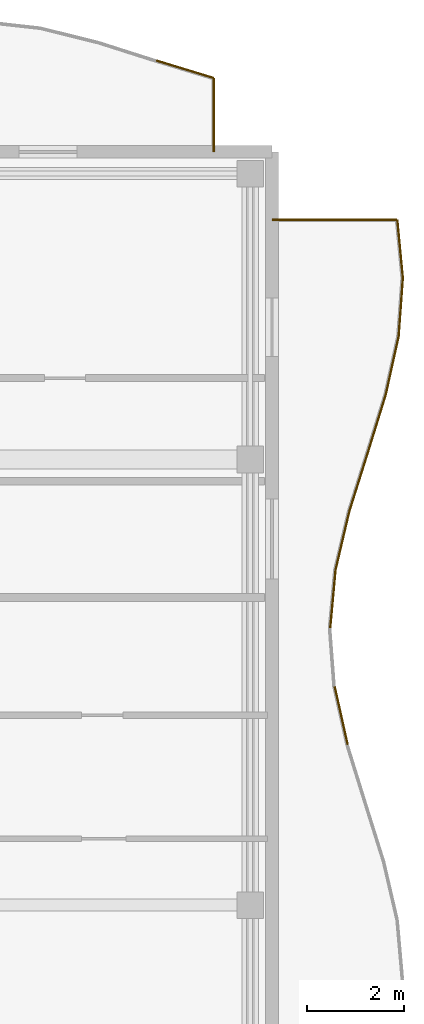
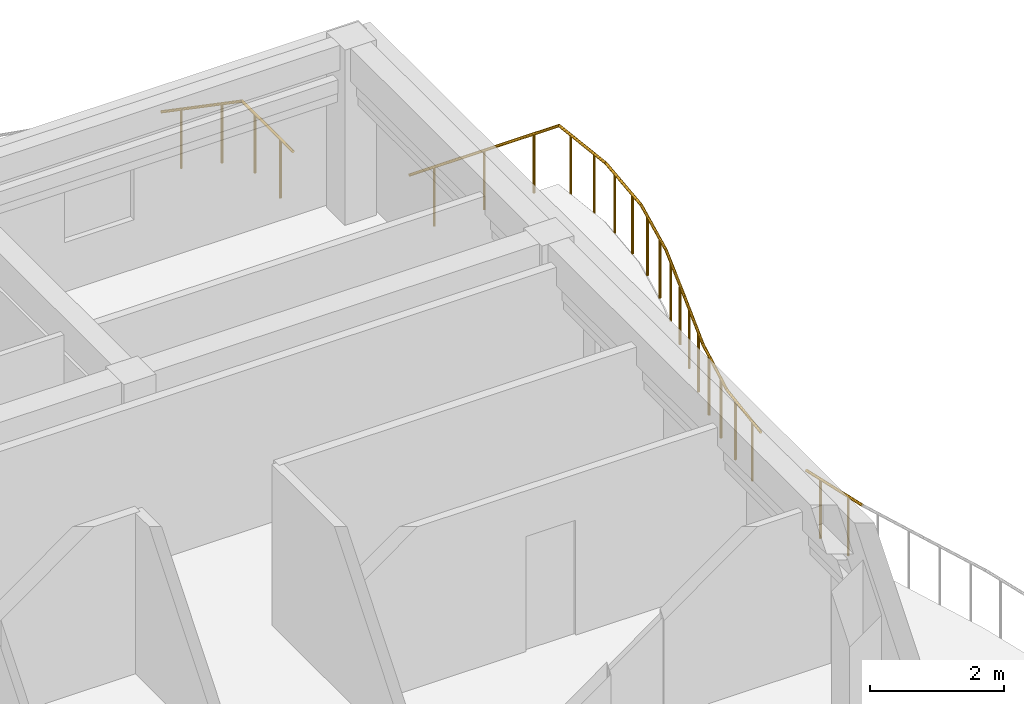
# One storey, part 49 of 49: 11 railings.
"""IFC4 building model written with IfcOpenShell, lengths in metres."""

from ifc_helpers import new_model, si_unit, direction, frame, origin, origin_2d, place, context, subcontext, project, spatial, circle, extrude, material, type_object, element, save


model = new_model("IFC4")

# Units and contexts
model_context = context("Model", 3, precision=1e-05, world=origin(), true_north=direction((0.0, 1.0)))
body_context = subcontext(model_context, "Body", "Model", "MODEL_VIEW")
ifc_project = project(units=[si_unit("LENGTHUNIT", "METRE"), si_unit("AREAUNIT", "SQUARE_METRE"), si_unit("VOLUMEUNIT", "CUBIC_METRE"), si_unit("PLANEANGLEUNIT", "RADIAN"), si_unit("MASSUNIT", "GRAM", prefix="KILO")], contexts=[model_context])

# Site, building, storey
site_placement = place(None, origin())
site = spatial("IfcSite", under=ifc_project, at=site_placement, CompositionType="ELEMENT")
building_placement = place(site_placement, origin())
building = spatial("IfcBuilding", under=site, at=building_placement, Name="Keldmere Railside Commons", CompositionType="ELEMENT")
storey_placement = place(building_placement, frame((0.0, 0.0, 29.760009765625)))
storey = spatial("IfcBuildingStorey", under=building, at=storey_placement, Name="L09", CompositionType="ELEMENT", Elevation=29.760009765625)

# Railings
ifc_material = material(Name="Steel F-24 (S235)", Category="steel")
railing_type = type_object("IfcRailingType", Name="Balcony & Terrace Steel Balustrade 1100", PredefinedType="BALUSTRADE", material=ifc_material)
railing_1_placement = place(storey_placement, frame((181.60693359375, 117.885986328125, 0.0)))
element("IfcRailing", 1, at=railing_1_placement, inside=storey, type_object=railing_type, Name="GR-1 GRD-L09-4249", PredefinedType="BALUSTRADE", context=body_context, shape_type="SweptSolid", body=[
    extrude(circle(Radius=0.02392578125, at=origin_2d()), frame((0.0, 0.0, 1.076171875), z_axis=(0.956638312873, -0.291278454994, 0.0), x_axis=(0.291278454994, 0.956638312873, 0.0)), (0.0, 0.0, 1.0), 1.247314453125),
    extrude(circle(Radius=0.02099609375, at=origin_2d()), frame((0.29833984375, -0.0908203125, 0.0)), (0.0, 0.0, 1.0), 1.048095703125),
    extrude(circle(Radius=0.02099609375, at=origin_2d()), frame((0.894775390625, -0.2724609375, 0.0)), (0.0, 0.0, 1.0), 1.048095703125),
])
railing_2_placement = place(storey_placement, frame((182.800048828125, 117.522705078125, 0.0)))
element("IfcRailing", 2, at=railing_2_placement, inside=storey, type_object=railing_type, Name="GR-1 GRD-L09-4250", PredefinedType="BALUSTRADE", context=body_context, shape_type="SweptSolid", body=[
    extrude(circle(Radius=0.02392578125, at=origin_2d()), frame((0.0, 0.0, 1.076171875), z_axis=(0.0, -1.0, 0.0), x_axis=(1.0, 0.0, 0.0)), (0.0, 0.0, 1.0), 1.522705078125),
    extrude(circle(Radius=0.02099609375, at=origin_2d()), frame((0.0, -0.380615234375, 0.0)), (0.0, 0.0, 1.0), 1.048095703125),
    extrude(circle(Radius=0.02099609375, at=origin_2d()), frame((0.0, -1.14208984375, 0.0)), (0.0, 0.0, 1.0), 1.048095703125),
])
railing_3_placement = place(storey_placement, frame((185.561279296875, 103.760009765625, 0.0)))
element("IfcRailing", 3, at=railing_3_placement, inside=storey, type_object=railing_type, Name="GR-1 GRD-L09-4312", PredefinedType="BALUSTRADE", context=body_context, shape_type="SweptSolid", body=[
    extrude(circle(Radius=0.02392578125, at=origin_2d()), frame((0.0, 0.0, 1.076171875), z_axis=(-0.218208030063, 0.975902277698, 0.0), x_axis=(-0.975902277698, -0.218208030063, 0.0)), (0.0, 0.0, 1.0), 1.234130859375),
    extrude(circle(Radius=0.02099609375, at=origin_2d()), frame((-0.0673828125, 0.301025390625, 0.0)), (0.0, 0.0, 1.0), 1.048095703125),
    extrude(circle(Radius=0.02099609375, at=origin_2d()), frame((-0.201904296875, 0.9033203125, 0.0)), (0.0, 0.0, 1.0), 1.048095703125),
])
railing_4_placement = place(storey_placement, frame((185.2001953125, 106.1689453125, 0.0)))
element("IfcRailing", 4, at=railing_4_placement, inside=storey, type_object=railing_type, Name="GR-1 GRD-L09-4314", PredefinedType="BALUSTRADE", context=body_context, shape_type="SweptSolid", body=[
    extrude(circle(Radius=0.02392578125, at=origin_2d()), frame((0.0, 0.0, 1.076171875), z_axis=(0.091445764524, 0.995810058269, 0.0), x_axis=(-0.995810058269, 0.091445764524, 0.0)), (0.0, 0.0, 1.0), 1.20947265625),
    extrude(circle(Radius=0.02099609375, at=origin_2d()), frame((0.027587890625, 0.301025390625, 0.0)), (0.0, 0.0, 1.0), 1.048095703125),
    extrude(circle(Radius=0.02099609375, at=origin_2d()), frame((0.0830078125, 0.9033203125, 0.0)), (0.0, 0.0, 1.0), 1.048095703125),
])
railing_5_placement = place(storey_placement, frame((185.310791015625, 107.373291015625, 0.0)))
element("IfcRailing", 5, at=railing_5_placement, inside=storey, type_object=railing_type, Name="GR-1 GRD-L09-4315", PredefinedType="BALUSTRADE", context=body_context, shape_type="SweptSolid", body=[
    extrude(circle(Radius=0.02392578125, at=origin_2d()), frame((0.0, 0.0, 1.076171875), z_axis=(0.228863380748, 0.973458552252, 0.0), x_axis=(-0.973458552252, 0.228863380748, 0.0)), (0.0, 0.0, 1.0), 1.237548828125),
    extrude(circle(Radius=0.02099609375, at=origin_2d()), frame((0.07080078125, 0.30126953125, 0.0)), (0.0, 0.0, 1.0), 1.048095703125),
    extrude(circle(Radius=0.02099609375, at=origin_2d()), frame((0.21240234375, 0.9033203125, 0.0)), (0.0, 0.0, 1.0), 1.048095703125),
])
railing_6_placement = place(storey_placement, frame((185.593994140625, 108.577880859375, 0.0)))
element("IfcRailing", 6, at=railing_6_placement, inside=storey, type_object=railing_type, Name="GR-1 GRD-L09-4316", PredefinedType="BALUSTRADE", context=body_context, shape_type="SweptSolid", body=[
    extrude(circle(Radius=0.02392578125, at=origin_2d()), frame((0.0, 0.0, 1.076171875), z_axis=(0.300465042435, 0.953792827754, 0.0), x_axis=(-0.953792827754, 0.300465042435, 0.0)), (0.0, 0.0, 1.0), 1.2626953125),
    extrude(circle(Radius=0.02099609375, at=origin_2d()), frame((0.0947265625, 0.301025390625, 0.0)), (0.0, 0.0, 1.0), 1.048095703125),
    extrude(circle(Radius=0.02099609375, at=origin_2d()), frame((0.28466796875, 0.9033203125, 0.0)), (0.0, 0.0, 1.0), 1.048095703125),
])
railing_7_placement = place(storey_placement, frame((185.973388671875, 109.7822265625, 0.0)))
element("IfcRailing", 7, at=railing_7_placement, inside=storey, type_object=railing_type, Name="GR-1 GRD-L09-4317", PredefinedType="BALUSTRADE", context=body_context, shape_type="SweptSolid", body=[
    extrude(circle(Radius=0.02392578125, at=origin_2d()), frame((0.0, 0.0, 1.076171875), z_axis=(0.295650073137, 0.955296307045, 0.0), x_axis=(-0.955296307045, 0.295650073137, 0.0)), (0.0, 0.0, 1.0), 1.260986328125),
    extrude(circle(Radius=0.02099609375, at=origin_2d()), frame((0.09326171875, 0.30126953125, 0.0)), (0.0, 0.0, 1.0), 1.048095703125),
    extrude(circle(Radius=0.02099609375, at=origin_2d()), frame((0.279541015625, 0.9033203125, 0.0)), (0.0, 0.0, 1.0), 1.048095703125),
])
railing_8_placement = place(storey_placement, frame((186.34619140625, 110.98681640625, 0.0)))
element("IfcRailing", 8, at=railing_8_placement, inside=storey, type_object=railing_type, Name="GR-1 GRD-L09-4318", PredefinedType="BALUSTRADE", context=body_context, shape_type="SweptSolid", body=[
    extrude(circle(Radius=0.02392578125, at=origin_2d()), frame((0.0, 0.0, 1.076171875), z_axis=(0.215756622261, 0.976447172125, 0.0), x_axis=(-0.976447172125, 0.215756622261, 0.0)), (0.0, 0.0, 1.0), 1.2333984375),
    extrude(circle(Radius=0.02099609375, at=origin_2d()), frame((0.06640625, 0.301025390625, 0.0)), (0.0, 0.0, 1.0), 1.048095703125),
    extrude(circle(Radius=0.02099609375, at=origin_2d()), frame((0.19970703125, 0.9033203125, 0.0)), (0.0, 0.0, 1.0), 1.048095703125),
])
railing_9_placement = place(storey_placement, frame((186.6123046875, 112.191162109375, 0.0)))
element("IfcRailing", 9, at=railing_9_placement, inside=storey, type_object=railing_type, Name="GR-1 GRD-L09-4319", PredefinedType="BALUSTRADE", context=body_context, shape_type="SweptSolid", body=[
    extrude(circle(Radius=0.02392578125, at=origin_2d()), frame((0.0, 0.0, 1.076171875), z_axis=(0.072180981893, 0.997391550923, 0.0), x_axis=(-0.997391550923, 0.072180981893, 0.0)), (0.0, 0.0, 1.0), 1.20751953125),
    extrude(circle(Radius=0.02099609375, at=origin_2d()), frame((0.021728515625, 0.301025390625, 0.0)), (0.0, 0.0, 1.0), 1.048095703125),
    extrude(circle(Radius=0.02099609375, at=origin_2d()), frame((0.0654296875, 0.9033203125, 0.0)), (0.0, 0.0, 1.0), 1.048095703125),
])
railing_10_placement = place(storey_placement, frame((186.699462890625, 113.3955078125, 0.0)))
element("IfcRailing", 10, at=railing_10_placement, inside=storey, type_object=railing_type, Name="GR-1 GRD-L09-4320", PredefinedType="BALUSTRADE", context=body_context, shape_type="SweptSolid", body=[
    extrude(circle(Radius=0.02392578125, at=origin_2d()), frame((0.0, 0.0, 1.076171875), z_axis=(-0.095028077244, 0.995474592612, 0.0), x_axis=(-0.995474592612, -0.095028077244, 0.0)), (0.0, 0.0, 1.0), 1.2099609375),
    extrude(circle(Radius=0.02099609375, at=origin_2d()), frame((-0.02880859375, 0.30126953125, 0.0)), (0.0, 0.0, 1.0), 1.048095703125),
    extrude(circle(Radius=0.02099609375, at=origin_2d()), frame((-0.086181640625, 0.9033203125, 0.0)), (0.0, 0.0, 1.0), 1.048095703125),
])
railing_11_placement = place(storey_placement, frame((186.58447265625, 114.60009765625, 0.0)))
element("IfcRailing", 11, at=railing_11_placement, inside=storey, type_object=railing_type, Name="GR-1 GRD-L09-4321", PredefinedType="BALUSTRADE", context=body_context, shape_type="SweptSolid", body=[
    extrude(circle(Radius=0.02392578125, at=origin_2d()), frame((0.0, 0.0, 1.076171875), z_axis=(-1.0, 0.0, 0.0), x_axis=(0.0, -1.0, 0.0)), (0.0, 0.0, 1.0), 2.58447265625),
    extrude(circle(Radius=0.02099609375, at=origin_2d()), frame((-0.4306640625, 0.0, 0.0)), (0.0, 0.0, 1.0), 1.048095703125),
    extrude(circle(Radius=0.02099609375, at=origin_2d()), frame((-1.292236328125, 0.0, 0.0)), (0.0, 0.0, 1.0), 1.048095703125),
    extrude(circle(Radius=0.02099609375, at=origin_2d()), frame((-2.15380859375, 0.0, 0.0)), (0.0, 0.0, 1.0), 1.048095703125),
])

save(model, "model.ifc")
